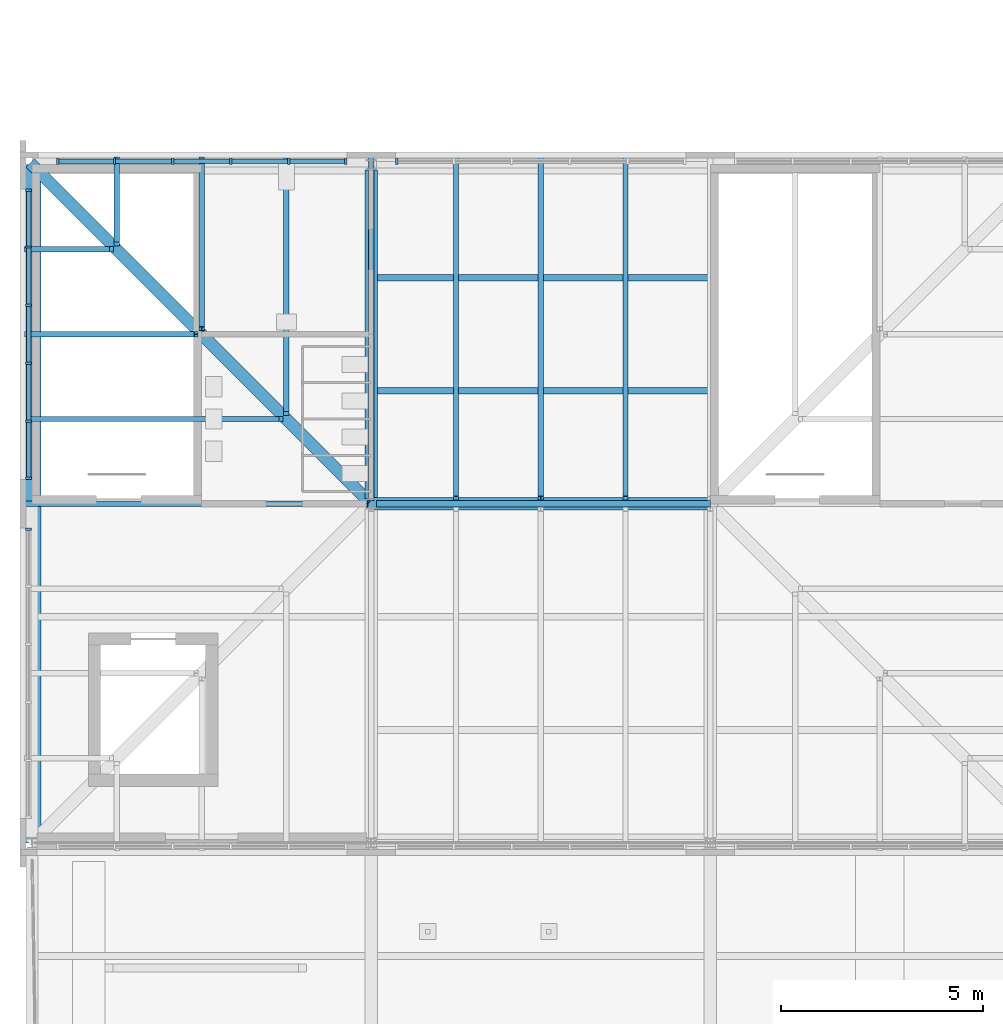
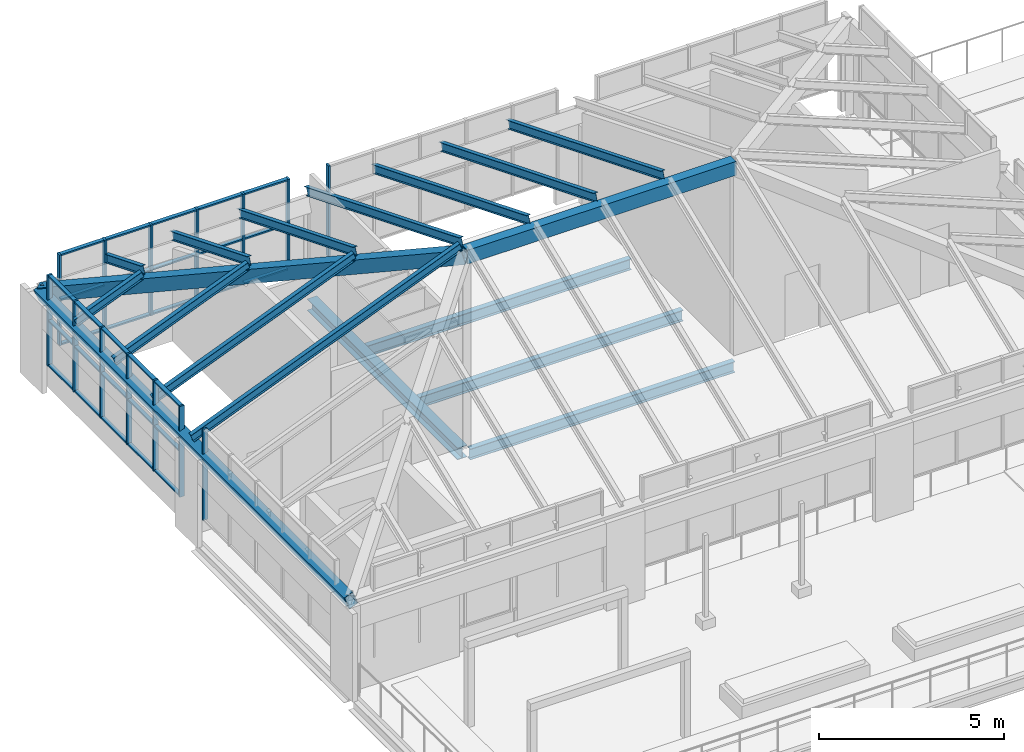
# One storey, part 10 of 126: 55 members, 7 beams, 4 elements without a shape of their own.
"""IFC4 building model written with IfcOpenShell, lengths in metres."""

from ifc_helpers import new_model, si_unit, direction, frame, origin, origin_2d, place, context, subcontext, project, spatial, polyline, rectangle, i_section, outline, extrude, material, material_profile, profile_set, type_object, element, aggregate, save


model = new_model("IFC4")

# Units and contexts
model_context = context("Model", 3, precision=1e-05, world=origin(), true_north=direction((0.0, 1.0)))
body_context = subcontext(model_context, "Body", "Model", "MODEL_VIEW")
ifc_project = project(units=[si_unit("LENGTHUNIT", "METRE"), si_unit("AREAUNIT", "SQUARE_METRE"), si_unit("VOLUMEUNIT", "CUBIC_METRE"), si_unit("PLANEANGLEUNIT", "RADIAN"), si_unit("MASSUNIT", "GRAM", prefix="KILO")], contexts=[model_context])

# Site, building, storey
site_placement = place(None, origin())
site = spatial("IfcSite", under=ifc_project, at=site_placement, CompositionType="ELEMENT")
building_placement = place(site_placement, origin())
building = spatial("IfcBuilding", under=site, at=building_placement, Name="Sava Quay Ferry Terminal", CompositionType="ELEMENT")
storey_placement = place(building_placement, frame((0.0, 0.0, 15.0)))
storey = spatial("IfcBuildingStorey", under=building, at=storey_placement, Name="L03", CompositionType="ELEMENT", Elevation=15.0)

# Beams
ifc_material_1 = material(Name="Steel S355", Category="steel")
ifc_material_profile_1 = material_profile(ifc_material_1, i_section(OverallWidth=0.169921875, OverallDepth=0.360107421875, WebThickness=0.008056640625, FlangeThickness=0.0126953125, at=origin_2d()), Name="IPE 360")
ifc_profile_set_1 = profile_set([ifc_material_profile_1], Name="Steel S355")
beam_type_1 = type_object("IfcBeamType", Name="Beam IPE 360", PredefinedType="BEAM", material=ifc_profile_set_1)
beam_1_placement = place(storey_placement, frame((8.530029296875, 42.0, -0.31005859375), z_axis=(1.0, 0.0, 0.0), x_axis=(0.0, 1.0, 0.0)))
element("IfcBeam", 1, at=beam_1_placement, inside=storey, type_object=beam_type_1, Name="Beam L03", PredefinedType="BEAM", context=body_context, shape_type="SweptSolid", body=[
    extrude(i_section(OverallWidth=0.169921875, OverallDepth=0.360107421875, WebThickness=0.008056640625, FlangeThickness=0.0126953125, at=origin_2d()), origin(), (0.0, 0.0, 1.0), 8.27001953125),
])
for number, where, z_axis, x_axis, name in (
    (2, (8.550048828125, 44.800048828125, -0.31005859375), (1.0, 0.0, 0.0), (0.0, 1.0, 0.0), "Secondary beam L03"),
    (3, (8.550048828125, 47.60009765625, -0.31005859375), (1.0, 0.0, 0.0), (0.0, 1.0, 0.0), "Secondary beam L03"),
):
    element("IfcBeam", number, at=place(storey_placement, frame(where, z_axis=z_axis, x_axis=x_axis)), inside=storey, type_object=beam_type_1, Name=name, PredefinedType="BEAM", context=body_context, shape_type="SweptSolid", body=[
        extrude(i_section(OverallWidth=0.169921875, OverallDepth=0.360107421875, WebThickness=0.008056640625, FlangeThickness=0.0126953125, at=origin_2d()), origin(), (0.0, 0.0, 1.0), 8.25),
    ])
ifc_material_2 = material(Name="Steel S355", Category="steel")
ifc_material_profile_2 = material_profile(ifc_material_2, outline(polyline([(-0.14990234375, -0.228515625), (0.14990234375, -0.228515625), (0.14990234375, 0.228515625), (-0.14990234375, 0.228515625), (-0.14990234375, -0.228515625)]), holes=[polyline([(-0.1298828125, -0.20849609375), (-0.1298828125, 0.20849609375), (0.1298828125, 0.20849609375), (0.1298828125, -0.20849609375), (-0.1298828125, -0.20849609375)])]), Name="Box 457x300x20 built-up")
ifc_profile_set_2 = profile_set([ifc_material_profile_2], Name="Steel S355")
beam_type_2 = type_object("IfcBeamType", Name="Fascia beam Box 457x300x20", PredefinedType="BEAM", material=ifc_profile_set_2)
beam_2_placement = place(storey_placement, frame((0.0, 50.39990234375, 2.89990234375), z_axis=(0.0, -1.0, 0.0), x_axis=(0.927183854567, 0.0, 0.374606593416)))
element("IfcBeam", 4, at=beam_2_placement, inside=storey, type_object=beam_type_2, Name="West pavilion eave fascia beam EA1", PredefinedType="BEAM", context=body_context, shape_type="SweptSolid", body=[
    extrude(outline(polyline([(-0.14990234375, -0.228515625), (0.14990234375, -0.228515625), (0.14990234375, 0.228515625), (-0.14990234375, 0.228515625), (-0.14990234375, -0.228515625)]), holes=[polyline([(-0.1298828125, -0.20849609375), (-0.1298828125, 0.20849609375), (0.1298828125, 0.20849609375), (0.1298828125, -0.20849609375), (-0.1298828125, -0.20849609375)])]), origin(), (0.0, 0.0, 1.0), 16.7998046875),
])
beam_3_placement = place(storey_placement, frame((0.0, 50.39990234375, 2.89990234375), z_axis=(0.679904249952, -0.679904249952, 0.274700603923), x_axis=(0.707106781187, 0.707106781187, 0.0)))
element("IfcBeam", 5, at=beam_3_placement, inside=storey, type_object=beam_type_2, Name="West pavilion hip fascia beam HI2", PredefinedType="BEAM", context=body_context, shape_type="SweptSolid", body=[
    extrude(outline(polyline([(-0.14990234375, -0.228515625), (0.14990234375, -0.228515625), (0.14990234375, 0.228515625), (-0.14990234375, 0.228515625), (-0.14990234375, -0.228515625)]), holes=[polyline([(-0.1298828125, -0.20849609375), (-0.1298828125, 0.20849609375), (0.1298828125, 0.20849609375), (0.1298828125, -0.20849609375), (-0.1298828125, -0.20849609375)])]), origin(), (0.0, 0.0, 1.0), 12.3544921875),
])
beam_4_placement = place(storey_placement, frame((16.800048828125, 42.0, 6.293701171875), z_axis=(-1.0, 0.0, 0.0), x_axis=(0.0, -1.0, 0.0)))
element("IfcBeam", 6, at=beam_4_placement, inside=storey, type_object=beam_type_2, Name="West pavilion ridge fascia beam RI1", PredefinedType="BEAM", context=body_context, shape_type="SweptSolid", body=[
    extrude(outline(polyline([(-0.14990234375, -0.228515625), (0.14990234375, -0.228515625), (0.14990234375, 0.228515625), (-0.14990234375, 0.228515625), (-0.14990234375, -0.228515625)]), holes=[polyline([(-0.1298828125, -0.20849609375), (-0.1298828125, 0.20849609375), (0.1298828125, 0.20849609375), (0.1298828125, -0.20849609375), (-0.1298828125, -0.20849609375)])]), origin(), (0.0, 0.0, 1.0), 8.400146484375),
])
ifc_material_3 = material(Name="Steel S355", Category="steel")
ifc_material_profile_3 = material_profile(ifc_material_3, i_section(OverallWidth=0.300048828125, OverallDepth=0.389892578125, WebThickness=0.010986328125, FlangeThickness=0.01904296875, at=origin_2d()), Name="HE 400 A")
ifc_profile_set_3 = profile_set([ifc_material_profile_3], Name="Steel S355")
beam_type_3 = type_object("IfcBeamType", Name="Girder HE 400 A", PredefinedType="BEAM", material=ifc_profile_set_3)
beam_5_placement = place(storey_placement, frame((8.39990234375, 42.1298828125, -0.324951171875), z_axis=(0.0, 1.0, 0.0), x_axis=(-1.0, 0.0, 0.0)))
element("IfcBeam", 7, at=beam_5_placement, inside=storey, type_object=beam_type_3, Name="Girder L03", PredefinedType="BEAM", context=body_context, shape_type="SweptSolid", body=[
    extrude(i_section(OverallWidth=0.300048828125, OverallDepth=0.389892578125, WebThickness=0.010986328125, FlangeThickness=0.01904296875, at=origin_2d()), origin(), (0.0, 0.0, 1.0), 8.14013671875),
])

# Curtain wall, members
ifc_material_4 = material(Name="Aluminium and glass curtain wall, double low-e glazed", Category="aluminium")
curtain_wall_type = type_object("IfcCurtainWallType", Name="Curtain wall CW-F flank", PredefinedType="NOTDEFINED", material=ifc_material_4)
curtain_wall_1_placement = place(storey_placement, origin())
curtain_wall_1 = element("IfcCurtainWall", 8, at=curtain_wall_1_placement, inside=storey, type_object=curtain_wall_type, Name="Curtain wall W-PAV-N L03 bay 1", PredefinedType="NOTDEFINED")
ifc_material_5 = material(Name="Aluminium EN AW-6063 T6", Category="aluminium")
ifc_material_profile_4 = material_profile(ifc_material_5, rectangle(XDim=0.14990234375, YDim=0.06005859375, at=origin_2d()), Name="Mullion 60x150 aluminium")
ifc_profile_set_4 = profile_set([ifc_material_profile_4], Name="Aluminium EN AW-6063 T6")
member_type_1 = type_object("IfcMemberType", Name="Mullion 60x150 aluminium", PredefinedType="MULLION", material=ifc_profile_set_4)
member_1_placement = place(storey_placement, frame((0.6298828125, 50.485107421875, 0.89990234375), z_axis=(0.0, 0.0, 1.0), x_axis=(0.0, 1.0, 0.0)))
member_1 = element("IfcMember", 9, at=member_1_placement, type_object=member_type_1, Name="CW123 mullion 1", PredefinedType="MULLION", context=body_context, shape_type="SweptSolid", body=[
    extrude(rectangle(XDim=0.14990234375, YDim=0.06005859375, at=origin_2d()), origin(), (0.0, 0.0, 1.0), 3.0),
])
member_2_placement = place(storey_placement, frame((2.0400390625, 50.485107421875, 0.89990234375), z_axis=(0.0, 0.0, 1.0), x_axis=(0.0, 1.0, 0.0)))
member_2 = element("IfcMember", 10, at=member_2_placement, type_object=member_type_1, Name="CW123 mullion 2", PredefinedType="MULLION", context=body_context, shape_type="SweptSolid", body=[
    extrude(rectangle(XDim=0.14990234375, YDim=0.06005859375, at=origin_2d()), origin(), (0.0, 0.0, 1.0), 3.0),
])
member_3_placement = place(storey_placement, frame((3.47998046875, 50.485107421875, 0.89990234375), z_axis=(0.0, 0.0, 1.0), x_axis=(0.0, 1.0, 0.0)))
member_3 = element("IfcMember", 11, at=member_3_placement, type_object=member_type_1, Name="CW123 mullion 3", PredefinedType="MULLION", context=body_context, shape_type="SweptSolid", body=[
    extrude(rectangle(XDim=0.14990234375, YDim=0.06005859375, at=origin_2d()), origin(), (0.0, 0.0, 1.0), 3.0),
])
member_4_placement = place(storey_placement, frame((4.919921875, 50.485107421875, 0.89990234375), z_axis=(0.0, 0.0, 1.0), x_axis=(0.0, 1.0, 0.0)))
member_4 = element("IfcMember", 12, at=member_4_placement, type_object=member_type_1, Name="CW123 mullion 4", PredefinedType="MULLION", context=body_context, shape_type="SweptSolid", body=[
    extrude(rectangle(XDim=0.14990234375, YDim=0.06005859375, at=origin_2d()), origin(), (0.0, 0.0, 1.0), 3.0),
])
member_5_placement = place(storey_placement, frame((6.360107421875, 50.485107421875, 0.89990234375), z_axis=(0.0, 0.0, 1.0), x_axis=(0.0, 1.0, 0.0)))
member_5 = element("IfcMember", 13, at=member_5_placement, type_object=member_type_1, Name="CW123 mullion 5", PredefinedType="MULLION", context=body_context, shape_type="SweptSolid", body=[
    extrude(rectangle(XDim=0.14990234375, YDim=0.06005859375, at=origin_2d()), origin(), (0.0, 0.0, 1.0), 3.0),
])
member_6_placement = place(storey_placement, frame((7.77001953125, 50.485107421875, 0.89990234375), z_axis=(0.0, 0.0, 1.0), x_axis=(0.0, 1.0, 0.0)))
member_6 = element("IfcMember", 14, at=member_6_placement, type_object=member_type_1, Name="CW123 mullion 6", PredefinedType="MULLION", context=body_context, shape_type="SweptSolid", body=[
    extrude(rectangle(XDim=0.14990234375, YDim=0.06005859375, at=origin_2d()), origin(), (0.0, 0.0, 1.0), 3.0),
])

# Curtain wall, member
curtain_wall_2_placement = place(storey_placement, origin())
curtain_wall_2 = element("IfcCurtainWall", 15, at=curtain_wall_2_placement, inside=storey, type_object=curtain_wall_type, Name="Curtain wall W-PAV-N L03 bay 2", PredefinedType="NOTDEFINED")
member_7_placement = place(storey_placement, frame((9.030029296875, 50.485107421875, 0.89990234375), z_axis=(0.0, 0.0, 1.0), x_axis=(0.0, 1.0, 0.0)))
member_7 = element("IfcMember", 16, at=member_7_placement, type_object=member_type_1, Name="CW124 mullion 1", PredefinedType="MULLION", context=body_context, shape_type="SweptSolid", body=[
    extrude(rectangle(XDim=0.14990234375, YDim=0.06005859375, at=origin_2d()), origin(), (0.0, 0.0, 1.0), 3.0),
])
aggregate(curtain_wall_2, [member_7])

curtain_wall_3_placement = place(storey_placement, origin())
curtain_wall_3 = element("IfcCurtainWall", 17, at=curtain_wall_3_placement, inside=storey, type_object=curtain_wall_type, Name="Curtain wall W-PAV-W L03 bay 1", PredefinedType="NOTDEFINED")
member_8_placement = place(storey_placement, frame((-0.0849609375, 41.3701171875, 0.89990234375), z_axis=(0.0, 0.0, 1.0), x_axis=(-1.0, 0.0, 0.0)))
member_8 = element("IfcMember", 18, at=member_8_placement, type_object=member_type_1, Name="CW129 mullion 6", PredefinedType="MULLION", context=body_context, shape_type="SweptSolid", body=[
    extrude(rectangle(XDim=0.14990234375, YDim=0.06005859375, at=origin_2d()), origin(), (0.0, 0.0, 1.0), 3.0),
])
aggregate(curtain_wall_3, [member_8])

# Curtain wall, members
curtain_wall_4_placement = place(storey_placement, origin())
curtain_wall_4 = element("IfcCurtainWall", 19, at=curtain_wall_4_placement, inside=storey, type_object=curtain_wall_type, Name="Curtain wall W-PAV-W L03 bay 2", PredefinedType="NOTDEFINED")
member_9_placement = place(storey_placement, frame((-0.0849609375, 42.6298828125, 0.89990234375), z_axis=(0.0, 0.0, 1.0), x_axis=(-1.0, 0.0, 0.0)))
member_9 = element("IfcMember", 20, at=member_9_placement, type_object=member_type_1, Name="CW130 mullion 1", PredefinedType="MULLION", context=body_context, shape_type="SweptSolid", body=[
    extrude(rectangle(XDim=0.14990234375, YDim=0.06005859375, at=origin_2d()), origin(), (0.0, 0.0, 1.0), 3.0),
])
member_10_placement = place(storey_placement, frame((-0.0849609375, 44.0400390625, 0.89990234375), z_axis=(0.0, 0.0, 1.0), x_axis=(-1.0, 0.0, 0.0)))
member_10 = element("IfcMember", 21, at=member_10_placement, type_object=member_type_1, Name="CW130 mullion 2", PredefinedType="MULLION", context=body_context, shape_type="SweptSolid", body=[
    extrude(rectangle(XDim=0.14990234375, YDim=0.06005859375, at=origin_2d()), origin(), (0.0, 0.0, 1.0), 3.0),
])
member_11_placement = place(storey_placement, frame((-0.0849609375, 45.47998046875, 0.89990234375), z_axis=(0.0, 0.0, 1.0), x_axis=(-1.0, 0.0, 0.0)))
member_11 = element("IfcMember", 22, at=member_11_placement, type_object=member_type_1, Name="CW130 mullion 3", PredefinedType="MULLION", context=body_context, shape_type="SweptSolid", body=[
    extrude(rectangle(XDim=0.14990234375, YDim=0.06005859375, at=origin_2d()), origin(), (0.0, 0.0, 1.0), 3.0),
])
member_12_placement = place(storey_placement, frame((-0.0849609375, 46.919921875, 0.89990234375), z_axis=(0.0, 0.0, 1.0), x_axis=(-1.0, 0.0, 0.0)))
member_12 = element("IfcMember", 23, at=member_12_placement, type_object=member_type_1, Name="CW130 mullion 4", PredefinedType="MULLION", context=body_context, shape_type="SweptSolid", body=[
    extrude(rectangle(XDim=0.14990234375, YDim=0.06005859375, at=origin_2d()), origin(), (0.0, 0.0, 1.0), 3.0),
])
member_13_placement = place(storey_placement, frame((-0.0849609375, 48.360107421875, 0.89990234375), z_axis=(0.0, 0.0, 1.0), x_axis=(-1.0, 0.0, 0.0)))
member_13 = element("IfcMember", 24, at=member_13_placement, type_object=member_type_1, Name="CW130 mullion 5", PredefinedType="MULLION", context=body_context, shape_type="SweptSolid", body=[
    extrude(rectangle(XDim=0.14990234375, YDim=0.06005859375, at=origin_2d()), origin(), (0.0, 0.0, 1.0), 3.0),
])
member_14_placement = place(storey_placement, frame((-0.0849609375, 49.77001953125, 0.89990234375), z_axis=(0.0, 0.0, 1.0), x_axis=(-1.0, 0.0, 0.0)))
member_14 = element("IfcMember", 25, at=member_14_placement, type_object=member_type_1, Name="CW130 mullion 6", PredefinedType="MULLION", context=body_context, shape_type="SweptSolid", body=[
    extrude(rectangle(XDim=0.14990234375, YDim=0.06005859375, at=origin_2d()), origin(), (0.0, 0.0, 1.0), 3.0),
])

# Members
ifc_material_6 = material(Name="Steel S355", Category="steel")
ifc_material_profile_5 = material_profile(ifc_material_6, i_section(OverallWidth=0.135009765625, OverallDepth=0.27001953125, WebThickness=0.006591796875, FlangeThickness=0.01025390625, at=origin_2d()), Name="IPE 270")
ifc_profile_set_5 = profile_set([ifc_material_profile_5], Name="Steel S355")
member_type_2 = type_object("IfcMemberType", Name="Roof rafter IPE 270", PredefinedType="RAFTER", material=ifc_profile_set_5)
for number, where, z_axis, x_axis, name in (
    (26, (14.699951171875, 50.5361328125, 3.237060546875), (0.0, -0.927183164982, 0.374608300192), (1.0, 0.0, 0.0), "West pavilion rafter RA23"),
    (27, (12.60009765625, 50.5361328125, 3.237060546875), (0.0, -0.927183164982, 0.374608300192), (1.0, 0.0, 0.0), "West pavilion rafter RA24"),
    (28, (10.5, 50.5361328125, 3.237060546875), (0.0, -0.927183164982, 0.374608300192), (1.0, 0.0, 0.0), "West pavilion rafter RA25"),
    (29, (8.39990234375, 50.5361328125, 3.237060546875), (0.0, -0.927183164982, 0.374608300192), (1.0, 0.0, 0.0), "West pavilion rafter RA26"),
):
    element("IfcMember", number, at=place(storey_placement, frame(where, z_axis=z_axis, x_axis=x_axis)), inside=storey, type_object=member_type_2, Name=name, PredefinedType="RAFTER", context=body_context, shape_type="SweptSolid", body=[
        extrude(i_section(OverallWidth=0.135009765625, OverallDepth=0.27001953125, WebThickness=0.006591796875, FlangeThickness=0.01025390625, at=origin_2d()), origin(), (0.0, 0.0, 1.0), 9.0595703125),
    ])
member_15_placement = place(storey_placement, frame((6.300048828125, 50.5361328125, 3.237060546875), z_axis=(0.0, -0.927182566132, 0.374609782387), x_axis=(1.0, 0.0, 0.0)))
element("IfcMember", 30, at=member_15_placement, inside=storey, type_object=member_type_2, Name="West pavilion rafter RA27", PredefinedType="RAFTER", context=body_context, shape_type="SweptSolid", body=[
    extrude(i_section(OverallWidth=0.135009765625, OverallDepth=0.27001953125, WebThickness=0.006591796875, FlangeThickness=0.01025390625, at=origin_2d()), origin(), (0.0, 0.0, 1.0), 6.794921875),
])
member_16_placement = place(storey_placement, frame((4.199951171875, 50.5361328125, 3.237060546875), z_axis=(0.0, -0.927192524754, 0.374585133235), x_axis=(1.0, 0.0, 0.0)))
element("IfcMember", 31, at=member_16_placement, inside=storey, type_object=member_type_2, Name="West pavilion rafter RA28", PredefinedType="RAFTER", context=body_context, shape_type="SweptSolid", body=[
    extrude(i_section(OverallWidth=0.135009765625, OverallDepth=0.27001953125, WebThickness=0.006591796875, FlangeThickness=0.01025390625, at=origin_2d()), origin(), (0.0, 0.0, 1.0), 4.52978515625),
])
member_17_placement = place(storey_placement, frame((2.10009765625, 50.5361328125, 3.237060546875), z_axis=(0.0, -0.927184961662, 0.374603853247), x_axis=(1.0, 0.0, 0.0)))
element("IfcMember", 32, at=member_17_placement, inside=storey, type_object=member_type_2, Name="West pavilion rafter RA29", PredefinedType="RAFTER", context=body_context, shape_type="SweptSolid", body=[
    extrude(i_section(OverallWidth=0.135009765625, OverallDepth=0.27001953125, WebThickness=0.006591796875, FlangeThickness=0.01025390625, at=origin_2d()), origin(), (0.0, 0.0, 1.0), 2.2646484375),
])
member_18_placement = place(storey_placement, frame((-0.13623046875, 48.300048828125, 3.237060546875), z_axis=(0.927200086712, 0.0, 0.374566414941), x_axis=(0.0, 1.0, 0.0)))
element("IfcMember", 33, at=member_18_placement, inside=storey, type_object=member_type_2, Name="West pavilion rafter RA30", PredefinedType="RAFTER", context=body_context, shape_type="SweptSolid", body=[
    extrude(i_section(OverallWidth=0.135009765625, OverallDepth=0.27001953125, WebThickness=0.006591796875, FlangeThickness=0.01025390625, at=origin_2d()), origin(), (0.0, 0.0, 1.0), 2.264892578125),
])
member_19_placement = place(storey_placement, frame((-0.13623046875, 46.199951171875, 3.237060546875), z_axis=(0.927192524754, 0.0, 0.374585133235), x_axis=(0.0, 1.0, 0.0)))
element("IfcMember", 34, at=member_19_placement, inside=storey, type_object=member_type_2, Name="West pavilion rafter RA31", PredefinedType="RAFTER", context=body_context, shape_type="SweptSolid", body=[
    extrude(i_section(OverallWidth=0.135009765625, OverallDepth=0.27001953125, WebThickness=0.006591796875, FlangeThickness=0.01025390625, at=origin_2d()), origin(), (0.0, 0.0, 1.0), 4.52978515625),
])
member_20_placement = place(storey_placement, frame((-0.13623046875, 44.10009765625, 3.237060546875), z_axis=(0.927182566132, 0.0, 0.374609782387), x_axis=(0.0, 1.0, 0.0)))
element("IfcMember", 35, at=member_20_placement, inside=storey, type_object=member_type_2, Name="West pavilion rafter RA32", PredefinedType="RAFTER", context=body_context, shape_type="SweptSolid", body=[
    extrude(i_section(OverallWidth=0.135009765625, OverallDepth=0.27001953125, WebThickness=0.006591796875, FlangeThickness=0.01025390625, at=origin_2d()), origin(), (0.0, 0.0, 1.0), 6.794921875),
])
member_21_placement = place(storey_placement, frame((-0.13623046875, 42.0, 3.237060546875), z_axis=(0.927186946533, 0.0, 0.374598940441), x_axis=(0.0, 1.0, 0.0)))
element("IfcMember", 36, at=member_21_placement, inside=storey, type_object=member_type_2, Name="West pavilion rafter RA33", PredefinedType="RAFTER", context=body_context, shape_type="SweptSolid", body=[
    extrude(i_section(OverallWidth=0.135009765625, OverallDepth=0.27001953125, WebThickness=0.006591796875, FlangeThickness=0.01025390625, at=origin_2d()), origin(), (0.0, 0.0, 1.0), 9.059814453125),
])

# Member
ifc_material_7 = material(Name="Aluminium EN AW-6063 T6", Category="aluminium")
ifc_material_profile_6 = material_profile(ifc_material_7, rectangle(XDim=0.1201171875, YDim=0.050048828125, at=origin_2d()), Name="Transom 50x120 aluminium")
ifc_profile_set_6 = profile_set([ifc_material_profile_6], Name="Aluminium EN AW-6063 T6")
member_type_3 = type_object("IfcMemberType", Name="Transom 50x120 aluminium", PredefinedType="USERDEFINED", material=ifc_profile_set_6)
member_22_placement = place(storey_placement, frame((0.659912109375, 50.485107421875, 0.925048828125), z_axis=(1.0, 0.0, 0.0), x_axis=(0.0, 1.0, 0.0)))
member_22 = element("IfcMember", 37, at=member_22_placement, type_object=member_type_3, Name="CW123 transom 1.1", ObjectType="TRANSOM", PredefinedType="USERDEFINED", context=body_context, shape_type="SweptSolid", body=[
    extrude(rectangle(XDim=0.1201171875, YDim=0.050048828125, at=origin_2d()), origin(), (0.0, 0.0, 1.0), 1.35009765625),
])

member_23_placement = place(storey_placement, frame((0.659912109375, 50.485107421875, 2.39990234375), z_axis=(1.0, 0.0, 0.0), x_axis=(0.0, 1.0, 0.0)))
member_23 = element("IfcMember", 38, at=member_23_placement, type_object=member_type_3, Name="CW123 transom 1.2", ObjectType="TRANSOM", PredefinedType="USERDEFINED", context=body_context, shape_type="SweptSolid", body=[
    extrude(rectangle(XDim=0.1201171875, YDim=0.050048828125, at=origin_2d()), origin(), (0.0, 0.0, 1.0), 1.35009765625),
])

member_24_placement = place(storey_placement, frame((0.659912109375, 50.485107421875, 3.875), z_axis=(1.0, 0.0, 0.0), x_axis=(0.0, 1.0, 0.0)))
member_24 = element("IfcMember", 39, at=member_24_placement, type_object=member_type_3, Name="CW123 transom 1.3", ObjectType="TRANSOM", PredefinedType="USERDEFINED", context=body_context, shape_type="SweptSolid", body=[
    extrude(rectangle(XDim=0.1201171875, YDim=0.050048828125, at=origin_2d()), origin(), (0.0, 0.0, 1.0), 1.35009765625),
])

member_25_placement = place(storey_placement, frame((2.070068359375, 50.485107421875, 0.925048828125), z_axis=(1.0, 0.0, 0.0), x_axis=(0.0, 1.0, 0.0)))
member_25 = element("IfcMember", 40, at=member_25_placement, type_object=member_type_3, Name="CW123 transom 2.1", ObjectType="TRANSOM", PredefinedType="USERDEFINED", context=body_context, shape_type="SweptSolid", body=[
    extrude(rectangle(XDim=0.1201171875, YDim=0.050048828125, at=origin_2d()), origin(), (0.0, 0.0, 1.0), 1.3798828125),
])

member_26_placement = place(storey_placement, frame((2.070068359375, 50.485107421875, 2.39990234375), z_axis=(1.0, 0.0, 0.0), x_axis=(0.0, 1.0, 0.0)))
member_26 = element("IfcMember", 41, at=member_26_placement, type_object=member_type_3, Name="CW123 transom 2.2", ObjectType="TRANSOM", PredefinedType="USERDEFINED", context=body_context, shape_type="SweptSolid", body=[
    extrude(rectangle(XDim=0.1201171875, YDim=0.050048828125, at=origin_2d()), origin(), (0.0, 0.0, 1.0), 1.3798828125),
])

member_27_placement = place(storey_placement, frame((2.070068359375, 50.485107421875, 3.875), z_axis=(1.0, 0.0, 0.0), x_axis=(0.0, 1.0, 0.0)))
member_27 = element("IfcMember", 42, at=member_27_placement, type_object=member_type_3, Name="CW123 transom 2.3", ObjectType="TRANSOM", PredefinedType="USERDEFINED", context=body_context, shape_type="SweptSolid", body=[
    extrude(rectangle(XDim=0.1201171875, YDim=0.050048828125, at=origin_2d()), origin(), (0.0, 0.0, 1.0), 1.3798828125),
])

member_28_placement = place(storey_placement, frame((3.510009765625, 50.485107421875, 0.925048828125), z_axis=(1.0, 0.0, 0.0), x_axis=(0.0, 1.0, 0.0)))
member_28 = element("IfcMember", 43, at=member_28_placement, type_object=member_type_3, Name="CW123 transom 3.1", ObjectType="TRANSOM", PredefinedType="USERDEFINED", context=body_context, shape_type="SweptSolid", body=[
    extrude(rectangle(XDim=0.1201171875, YDim=0.050048828125, at=origin_2d()), origin(), (0.0, 0.0, 1.0), 1.3798828125),
])

member_29_placement = place(storey_placement, frame((3.510009765625, 50.485107421875, 2.39990234375), z_axis=(1.0, 0.0, 0.0), x_axis=(0.0, 1.0, 0.0)))
member_29 = element("IfcMember", 44, at=member_29_placement, type_object=member_type_3, Name="CW123 transom 3.2", ObjectType="TRANSOM", PredefinedType="USERDEFINED", context=body_context, shape_type="SweptSolid", body=[
    extrude(rectangle(XDim=0.1201171875, YDim=0.050048828125, at=origin_2d()), origin(), (0.0, 0.0, 1.0), 1.3798828125),
])

member_30_placement = place(storey_placement, frame((3.510009765625, 50.485107421875, 3.875), z_axis=(1.0, 0.0, 0.0), x_axis=(0.0, 1.0, 0.0)))
member_30 = element("IfcMember", 45, at=member_30_placement, type_object=member_type_3, Name="CW123 transom 3.3", ObjectType="TRANSOM", PredefinedType="USERDEFINED", context=body_context, shape_type="SweptSolid", body=[
    extrude(rectangle(XDim=0.1201171875, YDim=0.050048828125, at=origin_2d()), origin(), (0.0, 0.0, 1.0), 1.3798828125),
])

member_31_placement = place(storey_placement, frame((4.949951171875, 50.485107421875, 0.925048828125), z_axis=(1.0, 0.0, 0.0), x_axis=(0.0, 1.0, 0.0)))
member_31 = element("IfcMember", 46, at=member_31_placement, type_object=member_type_3, Name="CW123 transom 4.1", ObjectType="TRANSOM", PredefinedType="USERDEFINED", context=body_context, shape_type="SweptSolid", body=[
    extrude(rectangle(XDim=0.1201171875, YDim=0.050048828125, at=origin_2d()), origin(), (0.0, 0.0, 1.0), 1.380126953125),
])

member_32_placement = place(storey_placement, frame((4.949951171875, 50.485107421875, 2.39990234375), z_axis=(1.0, 0.0, 0.0), x_axis=(0.0, 1.0, 0.0)))
member_32 = element("IfcMember", 47, at=member_32_placement, type_object=member_type_3, Name="CW123 transom 4.2", ObjectType="TRANSOM", PredefinedType="USERDEFINED", context=body_context, shape_type="SweptSolid", body=[
    extrude(rectangle(XDim=0.1201171875, YDim=0.050048828125, at=origin_2d()), origin(), (0.0, 0.0, 1.0), 1.380126953125),
])

member_33_placement = place(storey_placement, frame((4.949951171875, 50.485107421875, 3.875), z_axis=(1.0, 0.0, 0.0), x_axis=(0.0, 1.0, 0.0)))
member_33 = element("IfcMember", 48, at=member_33_placement, type_object=member_type_3, Name="CW123 transom 4.3", ObjectType="TRANSOM", PredefinedType="USERDEFINED", context=body_context, shape_type="SweptSolid", body=[
    extrude(rectangle(XDim=0.1201171875, YDim=0.050048828125, at=origin_2d()), origin(), (0.0, 0.0, 1.0), 1.380126953125),
])

member_34_placement = place(storey_placement, frame((6.389892578125, 50.485107421875, 0.925048828125), z_axis=(1.0, 0.0, 0.0), x_axis=(0.0, 1.0, 0.0)))
member_34 = element("IfcMember", 49, at=member_34_placement, type_object=member_type_3, Name="CW123 transom 5.1", ObjectType="TRANSOM", PredefinedType="USERDEFINED", context=body_context, shape_type="SweptSolid", body=[
    extrude(rectangle(XDim=0.1201171875, YDim=0.050048828125, at=origin_2d()), origin(), (0.0, 0.0, 1.0), 1.35009765625),
])

member_35_placement = place(storey_placement, frame((6.389892578125, 50.485107421875, 2.39990234375), z_axis=(1.0, 0.0, 0.0), x_axis=(0.0, 1.0, 0.0)))
member_35 = element("IfcMember", 50, at=member_35_placement, type_object=member_type_3, Name="CW123 transom 5.2", ObjectType="TRANSOM", PredefinedType="USERDEFINED", context=body_context, shape_type="SweptSolid", body=[
    extrude(rectangle(XDim=0.1201171875, YDim=0.050048828125, at=origin_2d()), origin(), (0.0, 0.0, 1.0), 1.35009765625),
])

member_36_placement = place(storey_placement, frame((6.389892578125, 50.485107421875, 3.875), z_axis=(1.0, 0.0, 0.0), x_axis=(0.0, 1.0, 0.0)))
member_36 = element("IfcMember", 51, at=member_36_placement, type_object=member_type_3, Name="CW123 transom 5.3", ObjectType="TRANSOM", PredefinedType="USERDEFINED", context=body_context, shape_type="SweptSolid", body=[
    extrude(rectangle(XDim=0.1201171875, YDim=0.050048828125, at=origin_2d()), origin(), (0.0, 0.0, 1.0), 1.35009765625),
])

aggregate(curtain_wall_1, [member_1, member_2, member_3, member_4, member_5, member_6, member_22, member_23, member_24, member_25, member_26, member_27, member_28, member_29, member_30, member_31, member_32, member_33, member_34, member_35, member_36])

member_37_placement = place(storey_placement, frame((-0.0849609375, 42.659912109375, 0.925048828125), z_axis=(0.0, 1.0, 0.0), x_axis=(-1.0, 0.0, 0.0)))
member_37 = element("IfcMember", 52, at=member_37_placement, type_object=member_type_3, Name="CW130 transom 1.1", ObjectType="TRANSOM", PredefinedType="USERDEFINED", context=body_context, shape_type="SweptSolid", body=[
    extrude(rectangle(XDim=0.1201171875, YDim=0.050048828125, at=origin_2d()), origin(), (0.0, 0.0, 1.0), 1.35009765625),
])

member_38_placement = place(storey_placement, frame((-0.0849609375, 42.659912109375, 2.39990234375), z_axis=(0.0, 1.0, 0.0), x_axis=(-1.0, 0.0, 0.0)))
member_38 = element("IfcMember", 53, at=member_38_placement, type_object=member_type_3, Name="CW130 transom 1.2", ObjectType="TRANSOM", PredefinedType="USERDEFINED", context=body_context, shape_type="SweptSolid", body=[
    extrude(rectangle(XDim=0.1201171875, YDim=0.050048828125, at=origin_2d()), origin(), (0.0, 0.0, 1.0), 1.35009765625),
])

member_39_placement = place(storey_placement, frame((-0.0849609375, 42.659912109375, 3.875), z_axis=(0.0, 1.0, 0.0), x_axis=(-1.0, 0.0, 0.0)))
member_39 = element("IfcMember", 54, at=member_39_placement, type_object=member_type_3, Name="CW130 transom 1.3", ObjectType="TRANSOM", PredefinedType="USERDEFINED", context=body_context, shape_type="SweptSolid", body=[
    extrude(rectangle(XDim=0.1201171875, YDim=0.050048828125, at=origin_2d()), origin(), (0.0, 0.0, 1.0), 1.35009765625),
])

member_40_placement = place(storey_placement, frame((-0.0849609375, 44.070068359375, 0.925048828125), z_axis=(0.0, 1.0, 0.0), x_axis=(-1.0, 0.0, 0.0)))
member_40 = element("IfcMember", 55, at=member_40_placement, type_object=member_type_3, Name="CW130 transom 2.1", ObjectType="TRANSOM", PredefinedType="USERDEFINED", context=body_context, shape_type="SweptSolid", body=[
    extrude(rectangle(XDim=0.1201171875, YDim=0.050048828125, at=origin_2d()), origin(), (0.0, 0.0, 1.0), 1.3798828125),
])

member_41_placement = place(storey_placement, frame((-0.0849609375, 44.070068359375, 2.39990234375), z_axis=(0.0, 1.0, 0.0), x_axis=(-1.0, 0.0, 0.0)))
member_41 = element("IfcMember", 56, at=member_41_placement, type_object=member_type_3, Name="CW130 transom 2.2", ObjectType="TRANSOM", PredefinedType="USERDEFINED", context=body_context, shape_type="SweptSolid", body=[
    extrude(rectangle(XDim=0.1201171875, YDim=0.050048828125, at=origin_2d()), origin(), (0.0, 0.0, 1.0), 1.3798828125),
])

member_42_placement = place(storey_placement, frame((-0.0849609375, 44.070068359375, 3.875), z_axis=(0.0, 1.0, 0.0), x_axis=(-1.0, 0.0, 0.0)))
member_42 = element("IfcMember", 57, at=member_42_placement, type_object=member_type_3, Name="CW130 transom 2.3", ObjectType="TRANSOM", PredefinedType="USERDEFINED", context=body_context, shape_type="SweptSolid", body=[
    extrude(rectangle(XDim=0.1201171875, YDim=0.050048828125, at=origin_2d()), origin(), (0.0, 0.0, 1.0), 1.3798828125),
])

member_43_placement = place(storey_placement, frame((-0.0849609375, 45.510009765625, 0.925048828125), z_axis=(0.0, 1.0, 0.0), x_axis=(-1.0, 0.0, 0.0)))
member_43 = element("IfcMember", 58, at=member_43_placement, type_object=member_type_3, Name="CW130 transom 3.1", ObjectType="TRANSOM", PredefinedType="USERDEFINED", context=body_context, shape_type="SweptSolid", body=[
    extrude(rectangle(XDim=0.1201171875, YDim=0.050048828125, at=origin_2d()), origin(), (0.0, 0.0, 1.0), 1.3798828125),
])

member_44_placement = place(storey_placement, frame((-0.0849609375, 45.510009765625, 2.39990234375), z_axis=(0.0, 1.0, 0.0), x_axis=(-1.0, 0.0, 0.0)))
member_44 = element("IfcMember", 59, at=member_44_placement, type_object=member_type_3, Name="CW130 transom 3.2", ObjectType="TRANSOM", PredefinedType="USERDEFINED", context=body_context, shape_type="SweptSolid", body=[
    extrude(rectangle(XDim=0.1201171875, YDim=0.050048828125, at=origin_2d()), origin(), (0.0, 0.0, 1.0), 1.3798828125),
])

member_45_placement = place(storey_placement, frame((-0.0849609375, 45.510009765625, 3.875), z_axis=(0.0, 1.0, 0.0), x_axis=(-1.0, 0.0, 0.0)))
member_45 = element("IfcMember", 60, at=member_45_placement, type_object=member_type_3, Name="CW130 transom 3.3", ObjectType="TRANSOM", PredefinedType="USERDEFINED", context=body_context, shape_type="SweptSolid", body=[
    extrude(rectangle(XDim=0.1201171875, YDim=0.050048828125, at=origin_2d()), origin(), (0.0, 0.0, 1.0), 1.3798828125),
])

member_46_placement = place(storey_placement, frame((-0.0849609375, 46.949951171875, 0.925048828125), z_axis=(0.0, 1.0, 0.0), x_axis=(-1.0, 0.0, 0.0)))
member_46 = element("IfcMember", 61, at=member_46_placement, type_object=member_type_3, Name="CW130 transom 4.1", ObjectType="TRANSOM", PredefinedType="USERDEFINED", context=body_context, shape_type="SweptSolid", body=[
    extrude(rectangle(XDim=0.1201171875, YDim=0.050048828125, at=origin_2d()), origin(), (0.0, 0.0, 1.0), 1.380126953125),
])

member_47_placement = place(storey_placement, frame((-0.0849609375, 46.949951171875, 2.39990234375), z_axis=(0.0, 1.0, 0.0), x_axis=(-1.0, 0.0, 0.0)))
member_47 = element("IfcMember", 62, at=member_47_placement, type_object=member_type_3, Name="CW130 transom 4.2", ObjectType="TRANSOM", PredefinedType="USERDEFINED", context=body_context, shape_type="SweptSolid", body=[
    extrude(rectangle(XDim=0.1201171875, YDim=0.050048828125, at=origin_2d()), origin(), (0.0, 0.0, 1.0), 1.380126953125),
])

member_48_placement = place(storey_placement, frame((-0.0849609375, 46.949951171875, 3.875), z_axis=(0.0, 1.0, 0.0), x_axis=(-1.0, 0.0, 0.0)))
member_48 = element("IfcMember", 63, at=member_48_placement, type_object=member_type_3, Name="CW130 transom 4.3", ObjectType="TRANSOM", PredefinedType="USERDEFINED", context=body_context, shape_type="SweptSolid", body=[
    extrude(rectangle(XDim=0.1201171875, YDim=0.050048828125, at=origin_2d()), origin(), (0.0, 0.0, 1.0), 1.380126953125),
])

member_49_placement = place(storey_placement, frame((-0.0849609375, 48.389892578125, 0.925048828125), z_axis=(0.0, 1.0, 0.0), x_axis=(-1.0, 0.0, 0.0)))
member_49 = element("IfcMember", 64, at=member_49_placement, type_object=member_type_3, Name="CW130 transom 5.1", ObjectType="TRANSOM", PredefinedType="USERDEFINED", context=body_context, shape_type="SweptSolid", body=[
    extrude(rectangle(XDim=0.1201171875, YDim=0.050048828125, at=origin_2d()), origin(), (0.0, 0.0, 1.0), 1.35009765625),
])

member_50_placement = place(storey_placement, frame((-0.0849609375, 48.389892578125, 2.39990234375), z_axis=(0.0, 1.0, 0.0), x_axis=(-1.0, 0.0, 0.0)))
member_50 = element("IfcMember", 65, at=member_50_placement, type_object=member_type_3, Name="CW130 transom 5.2", ObjectType="TRANSOM", PredefinedType="USERDEFINED", context=body_context, shape_type="SweptSolid", body=[
    extrude(rectangle(XDim=0.1201171875, YDim=0.050048828125, at=origin_2d()), origin(), (0.0, 0.0, 1.0), 1.35009765625),
])

member_51_placement = place(storey_placement, frame((-0.0849609375, 48.389892578125, 3.875), z_axis=(0.0, 1.0, 0.0), x_axis=(-1.0, 0.0, 0.0)))
member_51 = element("IfcMember", 66, at=member_51_placement, type_object=member_type_3, Name="CW130 transom 5.3", ObjectType="TRANSOM", PredefinedType="USERDEFINED", context=body_context, shape_type="SweptSolid", body=[
    extrude(rectangle(XDim=0.1201171875, YDim=0.050048828125, at=origin_2d()), origin(), (0.0, 0.0, 1.0), 1.35009765625),
])

aggregate(curtain_wall_4, [member_9, member_10, member_11, member_12, member_13, member_14, member_37, member_38, member_39, member_40, member_41, member_42, member_43, member_44, member_45, member_46, member_47, member_48, member_49, member_50, member_51])

save(model, "model.ifc")
